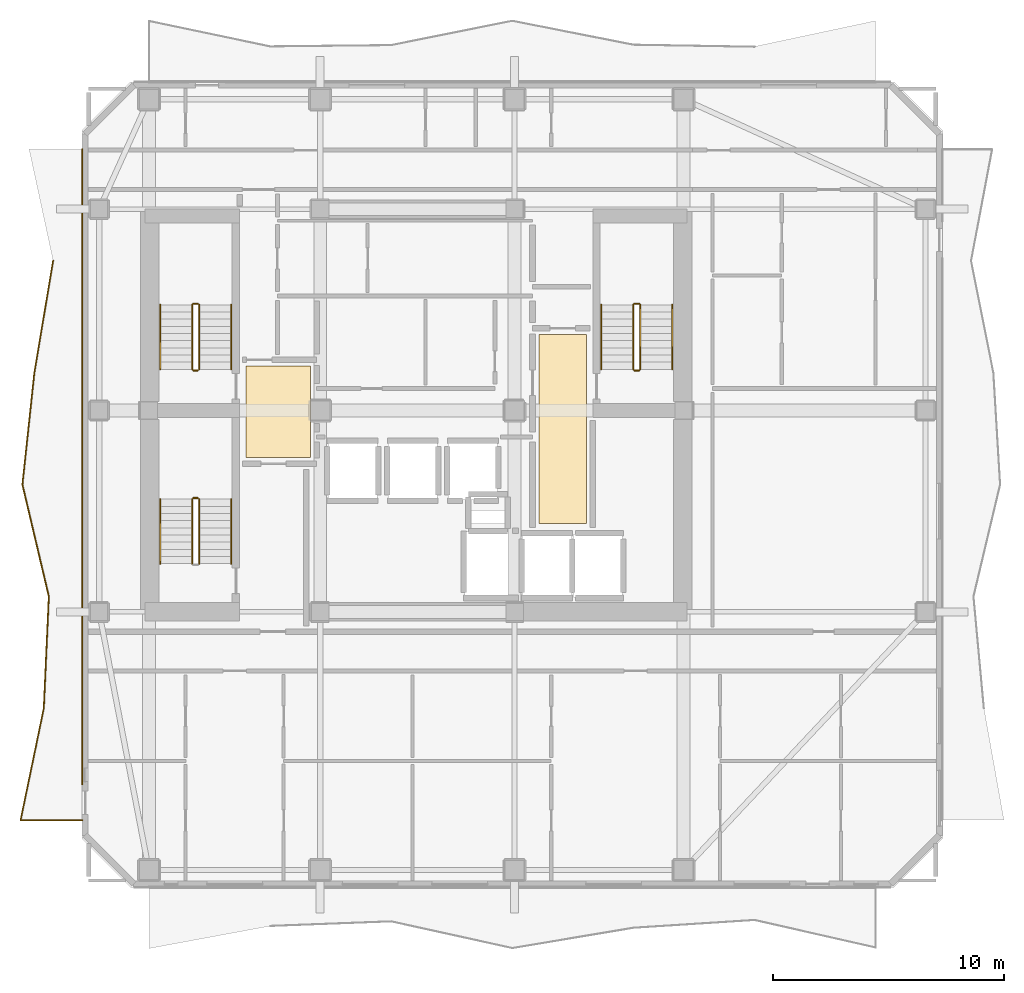
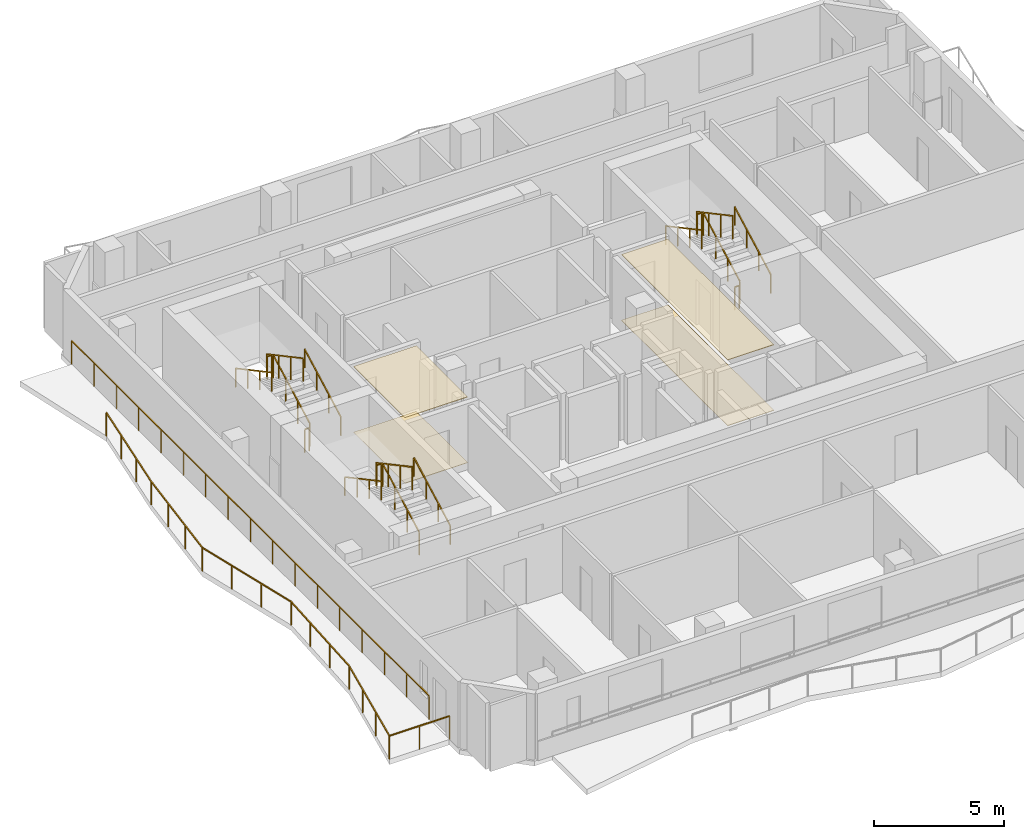
# One storey, part 8 of 9: 19 railings, 4 coverings.
"""IFC4 building model written with IfcOpenShell, lengths in metres."""

import ifcopenshell
import ifcopenshell.guid

model = None  # the IFC model being written
_history = None  # IfcOwnerHistory: only IFC2X3 demands one
_inside = {}  # id of a spatial element -> (the spatial element, [elements in it])
_under = {}  # id of a project, library or spatial element -> (it, [spatial elements below it])
_declared = {}  # id of a project -> (the project, [libraries it declares])
_typed = {}  # id of a type object -> (the type object, [elements of that type])
_made_of = {}  # id of a material, layer set ... -> (it, [elements and type objects made of it])


def new_model(schema):
    """Start an empty IFC model of exactly this schema.

    Asked for "IFC4X3", IfcOpenShell would pick the latest addendum, in which some entities
    have other attributes; the version numbers below select the first issue.
    IFC2X3 requires an IfcOwnerHistory on every rooted entity: one is made here for all.
    """
    global model, _history
    if schema == "IFC4X3":
        model = ifcopenshell.file(schema_version=(4, 3, 0, 0))
    else:
        model = ifcopenshell.file(schema=schema)
    _inside.clear()
    _under.clear()
    _declared.clear()
    _typed.clear()
    _made_of.clear()
    _history = None
    if model.schema == "IFC2X3":
        org = make("IfcOrganization", Name="unknown")
        user = make(
            "IfcPersonAndOrganization",
            ThePerson=make("IfcPerson", FamilyName="unknown"),
            TheOrganization=org,
        )
        app = make(
            "IfcApplication",
            ApplicationDeveloper=org,
            Version="unknown",
            ApplicationFullName="unknown",
            ApplicationIdentifier="unknown",
        )
        _history = make(
            "IfcOwnerHistory",
            OwningUser=user,
            OwningApplication=app,
            ChangeAction="ADDED",
            CreationDate=0,
        )
    return model


def make(cls, **values):
    """One entity of the class cls with the attributes given. An attribute that is None is left unset."""
    return model.create_entity(
        cls, **{name: value for name, value in values.items() if value is not None}
    )


def rooted(cls, **values):
    """An entity with a GlobalId (a new one), such as an element, a storey or a relation."""
    return make(cls, GlobalId=ifcopenshell.guid.new(), OwnerHistory=_history, **values)


def si_unit(unit_type, name, prefix=None):
    """IfcSIUnit, for example si_unit("LENGTHUNIT", "METRE", prefix="MILLI")."""
    return make("IfcSIUnit", UnitType=unit_type, Prefix=prefix, Name=name)


def assignment(units):
    """IfcUnitAssignment: the units of a project."""
    return None if units is None else make("IfcUnitAssignment", Units=units)


def point(xyz):
    """IfcCartesianPoint."""
    return None if xyz is None else make("IfcCartesianPoint", Coordinates=xyz)


def direction(xyz):
    """IfcDirection."""
    return None if xyz is None else make("IfcDirection", DirectionRatios=xyz)


def frame(location, z_axis=None, x_axis=None):
    """IfcAxis2Placement3D, a coordinate frame: its origin and axes. An axis left out is left unset."""
    return make(
        "IfcAxis2Placement3D",
        Location=point(location),
        Axis=direction(z_axis),
        RefDirection=direction(x_axis),
    )


def frame_2d(location, x_axis=None):
    """IfcAxis2Placement2D, a coordinate frame in the plane: its origin and x axis."""
    return make(
        "IfcAxis2Placement2D", Location=point(location), RefDirection=direction(x_axis)
    )


def origin():
    """The frame at (0, 0, 0) with its axes left unset."""
    return frame((0.0, 0.0, 0.0))


def origin_2d():
    """The frame at (0, 0) in the plane with its x axis left unset."""
    return frame_2d((0.0, 0.0))


def place(relative_to, where):
    """IfcLocalPlacement: puts the frame where relative to a parent placement (None: the world)."""
    return make(
        "IfcLocalPlacement", PlacementRelTo=relative_to, RelativePlacement=where
    )


def context(
    kind, dimensions, precision=None, world=None, true_north=None, identifier=None
):
    """IfcGeometricRepresentationContext, for example the 3D "Model" context."""
    return make(
        "IfcGeometricRepresentationContext",
        ContextIdentifier=identifier,
        ContextType=kind,
        CoordinateSpaceDimension=dimensions,
        Precision=precision,
        WorldCoordinateSystem=world,
        TrueNorth=true_north,
    )


def subcontext(parent, identifier, kind, view, scale=None):
    """IfcGeometricRepresentationSubContext, for example "Body" below "Model"."""
    return make(
        "IfcGeometricRepresentationSubContext",
        ContextIdentifier=identifier,
        ContextType=kind,
        ParentContext=parent,
        TargetScale=scale,
        TargetView=view,
    )


def project(units=None, contexts=None):
    """IfcProject with its units and contexts."""
    return rooted(
        "IfcProject",
        Name="project",
        RepresentationContexts=contexts,
        UnitsInContext=assignment(units),
    )


def spatial(cls, under=None, at=None, **own):
    """A site, building, storey or space (cls), placed at a placement, below another one or the project."""
    s = rooted(cls, ObjectPlacement=at, **own)
    if under is not None:
        _under.setdefault(under.id(), (under, []))[1].append(s)
    return s


def polyline(points):
    """IfcPolyline through the points."""
    return make("IfcPolyline", Points=[point(p) for p in points])


def profile(cls, at=None, kind="AREA", **sizes):
    """A parametric profile (cls). Its sizes go by their IFC names, for example OverallWidth=200.0."""
    return make(cls, ProfileType=kind, Position=at, **sizes)


def rectangle(**sizes):
    """IfcRectangleProfileDef."""
    return profile("IfcRectangleProfileDef", **sizes)


def outline(outer, holes=None, kind="AREA"):
    """IfcArbitraryClosedProfileDef: a profile drawn as a closed curve; with holes, ...WithVoids."""
    if holes is None:
        return make("IfcArbitraryClosedProfileDef", ProfileType=kind, OuterCurve=outer)
    return make(
        "IfcArbitraryProfileDefWithVoids",
        ProfileType=kind,
        OuterCurve=outer,
        InnerCurves=holes,
    )


def extrude(swept, where, along, depth):
    """IfcExtrudedAreaSolid: the profile swept, set in the frame where, extruded along a direction by depth."""
    return make(
        "IfcExtrudedAreaSolid",
        SweptArea=swept,
        Position=where,
        ExtrudedDirection=direction(along),
        Depth=depth,
    )


def shape(context_of_items, identifier, shape_type, items):
    """IfcShapeRepresentation: the items that make up one representation, for example the "Body"."""
    return make(
        "IfcShapeRepresentation",
        ContextOfItems=context_of_items,
        RepresentationIdentifier=identifier,
        RepresentationType=shape_type,
        Items=items,
    )


def material(Name=None, Category=None):
    """IfcMaterial."""
    return make("IfcMaterial", Name=Name, Category=Category)


def layer(
    of_material, thickness, ventilated=None, Name=None, Category=None, Priority=None
):
    """IfcMaterialLayer: one layer of a wall or slab, of a material (None: an air gap)."""
    return make(
        "IfcMaterialLayer",
        Material=of_material,
        LayerThickness=thickness,
        IsVentilated=ventilated,
        Name=Name,
        Category=Category,
        Priority=Priority,
    )


def layer_set(layers, Name=None):
    """IfcMaterialLayerSet."""
    return make("IfcMaterialLayerSet", MaterialLayers=layers, LayerSetName=Name)


def made_of(thing, what):
    """Note that an element or type object is made of a material, layer set ...; save() writes the relation."""
    if what is not None:
        _made_of.setdefault(what.id(), (what, []))[1].append(thing)
    return thing


def type_object(cls, material=None, **own):
    """A type object (cls), such as IfcWallType, which elements share."""
    return made_of(rooted(cls, **own), material)


def element(
    cls,
    number,
    at=None,
    inside=None,
    cuts=None,
    type_object=None,
    material=None,
    context=None,
    identifier="Body",
    shape_type=None,
    held_by="IfcProductDefinitionShape",
    body=None,
    shapes=None,
    **own,
):
    """One element of the class cls, such as IfcWall. Its Tag is "e" and its number.

    at: its placement. inside: the storey or other place that contains it. cuts: it is an
    opening in that element (IfcRelVoidsElement). A single representation is given by context,
    identifier, shape_type and body (its items); several are given by shapes. held_by: the class
    of the entity that holds the representations. save() writes the other relations.
    """
    e = rooted(cls, Tag="e%d" % number, ObjectPlacement=at, **own)
    if body is not None:
        shapes = [shape(context, identifier, shape_type, body)]
    if shapes is not None:
        e.Representation = make(held_by, Representations=shapes)
    if inside is not None:
        _inside.setdefault(inside.id(), (inside, []))[1].append(e)
    if cuts is not None:
        rooted(
            "IfcRelVoidsElement", RelatingBuildingElement=cuts, RelatedOpeningElement=e
        )
    if type_object is not None:
        _typed.setdefault(type_object.id(), (type_object, []))[1].append(e)
    return made_of(e, material)


def aggregate(whole, parts):
    """IfcRelAggregates: a whole, such as a stair, and the parts it consists of."""
    return rooted("IfcRelAggregates", RelatingObject=whole, RelatedObjects=parts)


def save(model, path):
    """Write the relations noted so far, then the file.

    IfcRelAggregates (storeys below a building ...), IfcRelContainedInSpatialStructure (elements
    in a storey), IfcRelDefinesByType, IfcRelAssociatesMaterial and IfcRelDeclares: one each for
    every whole, place, type object, material and project.
    """
    for whole, parts in _under.values():
        aggregate(whole, parts)
    for where, things in _inside.values():
        rooted(
            "IfcRelContainedInSpatialStructure",
            RelatedElements=things,
            RelatingStructure=where,
        )
    for kind, things in _typed.values():
        rooted("IfcRelDefinesByType", RelatedObjects=things, RelatingType=kind)
    for what, things in _made_of.values():
        rooted("IfcRelAssociatesMaterial", RelatedObjects=things, RelatingMaterial=what)
    for by, libraries in _declared.values():
        rooted("IfcRelDeclares", RelatingContext=by, RelatedDefinitions=libraries)
    model.write(path)


model = new_model("IFC4")

# Units and contexts
model_context = context("Model", 3, precision=1e-05, world=origin(), true_north=direction((0.0, 1.0)))
body_context = subcontext(model_context, "Body", "Model", "MODEL_VIEW")
ifc_project = project(units=[si_unit("LENGTHUNIT", "METRE"), si_unit("AREAUNIT", "SQUARE_METRE"), si_unit("VOLUMEUNIT", "CUBIC_METRE"), si_unit("PLANEANGLEUNIT", "RADIAN"), si_unit("MASSUNIT", "GRAM", prefix="KILO")], contexts=[model_context])

# Site, building, storey
site_placement = place(None, origin())
site = spatial("IfcSite", under=ifc_project, at=site_placement, CompositionType="ELEMENT")
building_placement = place(site_placement, origin())
building = spatial("IfcBuilding", under=site, at=building_placement, Name="Solanera Arch Residences", CompositionType="ELEMENT")
storey_placement = place(building_placement, frame((0.0, 0.0, 216.719970703125)))
storey = spatial("IfcBuildingStorey", under=building, at=storey_placement, Name="L63", CompositionType="ELEMENT", Elevation=216.719970703125)

# Railings
ifc_material_1 = material(Name="Steel S355 (ASTM A992 / A572 Grade 50)", Category="steel")
railing_type_1 = type_object("IfcRailingType", Name="Balustrade Railing BL-1100", PredefinedType="BALUSTRADE", material=ifc_material_1)
railing_1_placement = place(storey_placement, frame((9.260009765625, 37.1669921875, 0.0)))
element("IfcRailing", 1, at=railing_1_placement, inside=storey, type_object=railing_type_1, Name="L63 W Balcony Balustrade 1", PredefinedType="BALUSTRADE", context=body_context, shape_type="SweptSolid", body=[
    extrude(rectangle(XDim=0.048095703125, YDim=0.048095703125, at=origin_2d()), frame((0.0, 0.0, 1.09619140625), z_axis=(-0.165465070353, -0.986215651109, 0.0), x_axis=(0.986215651109, -0.165465070353, 0.0)), (0.0, 0.0, 1.0), 4.901611328125),
    extrude(rectangle(XDim=0.048095703125, YDim=0.048095703125, at=origin_2d()), frame((-0.81103515625, -4.833984375, 1.09619140625), z_axis=(-0.106384146857, -0.994325104429, 0.0), x_axis=(0.994325104429, -0.106384146857, 0.0)), (0.0, 0.0, 1.0), 4.860595703125),
    extrude(rectangle(XDim=0.048095703125, YDim=0.048095703125, at=origin_2d()), frame((-1.328125, -9.6669921875, 1.09619140625), z_axis=(0.230162585951, -0.973152189551, 0.0), x_axis=(0.973152189551, 0.230162585951, 0.0)), (0.0, 0.0, 1.0), 4.96630859375),
    extrude(rectangle(XDim=0.048095703125, YDim=0.048095703125, at=origin_2d()), frame((-0.18505859375, -14.5, 1.09619140625), z_axis=(-0.045055209953, -0.998984498406, 0.0), x_axis=(0.998984498406, -0.045055209953, 0.0)), (0.0, 0.0, 1.0), 4.8388671875),
    extrude(rectangle(XDim=0.048095703125, YDim=0.048095703125, at=origin_2d()), frame((-0.403076171875, -19.333984375, 1.09619140625), z_axis=(-0.203187826474, -0.97913977918, 0.0), x_axis=(0.97913977918, -0.203187826474, 0.0)), (0.0, 0.0, 1.0), 4.93603515625),
    extrude(rectangle(XDim=0.048095703125, YDim=0.048095703125, at=origin_2d()), frame((-1.406005859375, -24.1669921875, 1.09619140625), z_axis=(1.0, 0.0, 0.0), x_axis=(0.0, 1.0, 0.0)), (0.0, 0.0, 1.0), 2.666015625),
    extrude(rectangle(XDim=0.0419921875, YDim=0.0419921875, at=origin_2d()), origin(), (0.0, 0.0, 1.0), 1.072021484375),
    extrude(rectangle(XDim=0.0419921875, YDim=0.0419921875, at=origin_2d()), frame((-0.270263671875, -1.611328125, 0.0)), (0.0, 0.0, 1.0), 1.072021484375),
    extrude(rectangle(XDim=0.0419921875, YDim=0.0419921875, at=origin_2d()), frame((-0.540771484375, -3.22265625, 0.0)), (0.0, 0.0, 1.0), 1.072021484375),
    extrude(rectangle(XDim=0.0419921875, YDim=0.0419921875, at=origin_2d()), frame((-0.81103515625, -4.833984375, 0.0)), (0.0, 0.0, 1.0), 1.072021484375),
    extrude(rectangle(XDim=0.0419921875, YDim=0.0419921875, at=origin_2d()), frame((-0.9833984375, -6.445068359375, 0.0)), (0.0, 0.0, 1.0), 1.072021484375),
    extrude(rectangle(XDim=0.0419921875, YDim=0.0419921875, at=origin_2d()), frame((-1.15576171875, -8.055908203125, 0.0)), (0.0, 0.0, 1.0), 1.072021484375),
    extrude(rectangle(XDim=0.0419921875, YDim=0.0419921875, at=origin_2d()), frame((-1.328125, -9.6669921875, 0.0)), (0.0, 0.0, 1.0), 1.072021484375),
    extrude(rectangle(XDim=0.0419921875, YDim=0.0419921875, at=origin_2d()), frame((-0.947021484375, -11.278076171875, 0.0)), (0.0, 0.0, 1.0), 1.072021484375),
    extrude(rectangle(XDim=0.0419921875, YDim=0.0419921875, at=origin_2d()), frame((-0.566162109375, -12.888916015625, 0.0)), (0.0, 0.0, 1.0), 1.072021484375),
    extrude(rectangle(XDim=0.0419921875, YDim=0.0419921875, at=origin_2d()), frame((-0.18505859375, -14.5, 0.0)), (0.0, 0.0, 1.0), 1.072021484375),
    extrude(rectangle(XDim=0.0419921875, YDim=0.0419921875, at=origin_2d()), frame((-0.2578125, -16.111328125, 0.0)), (0.0, 0.0, 1.0), 1.072021484375),
    extrude(rectangle(XDim=0.0419921875, YDim=0.0419921875, at=origin_2d()), frame((-0.330322265625, -17.72265625, 0.0)), (0.0, 0.0, 1.0), 1.072021484375),
    extrude(rectangle(XDim=0.0419921875, YDim=0.0419921875, at=origin_2d()), frame((-0.403076171875, -19.333984375, 0.0)), (0.0, 0.0, 1.0), 1.072021484375),
    extrude(rectangle(XDim=0.0419921875, YDim=0.0419921875, at=origin_2d()), frame((-0.7373046875, -20.945068359375, 0.0)), (0.0, 0.0, 1.0), 1.072021484375),
    extrude(rectangle(XDim=0.0419921875, YDim=0.0419921875, at=origin_2d()), frame((-1.07177734375, -22.555908203125, 0.0)), (0.0, 0.0, 1.0), 1.072021484375),
    extrude(rectangle(XDim=0.0419921875, YDim=0.0419921875, at=origin_2d()), frame((-1.406005859375, -24.1669921875, 0.0)), (0.0, 0.0, 1.0), 1.072021484375),
    extrude(rectangle(XDim=0.0419921875, YDim=0.0419921875, at=origin_2d()), frame((-0.072998046875, -24.1669921875, 0.0)), (0.0, 0.0, 1.0), 1.072021484375),
    extrude(rectangle(XDim=0.0419921875, YDim=0.0419921875, at=origin_2d()), frame((1.260009765625, -24.1669921875, 0.0)), (0.0, 0.0, 1.0), 1.072021484375),
])
railing_2_placement = place(storey_placement, frame((10.52001953125, 14.554931640625, 0.0)))
element("IfcRailing", 2, at=railing_2_placement, inside=storey, type_object=railing_type_1, Name="L63 W Balcony Balustrade 2", PredefinedType="BALUSTRADE", context=body_context, shape_type="SweptSolid", body=[
    extrude(rectangle(XDim=0.048095703125, YDim=0.048095703125, at=origin_2d()), frame((0.0, 0.0, 1.09619140625), z_axis=(0.0, 1.0, 0.0), x_axis=(-1.0, 0.0, 0.0)), (0.0, 0.0, 1.0), 27.445068359375),
    extrude(rectangle(XDim=0.0419921875, YDim=0.0419921875, at=origin_2d()), origin(), (0.0, 0.0, 1.0), 1.072021484375),
    extrude(rectangle(XDim=0.0419921875, YDim=0.0419921875, at=origin_2d()), frame((0.0, 1.71533203125, 0.0)), (0.0, 0.0, 1.0), 1.072021484375),
    extrude(rectangle(XDim=0.0419921875, YDim=0.0419921875, at=origin_2d()), frame((0.0, 3.4306640625, 0.0)), (0.0, 0.0, 1.0), 1.072021484375),
    extrude(rectangle(XDim=0.0419921875, YDim=0.0419921875, at=origin_2d()), frame((0.0, 5.14599609375, 0.0)), (0.0, 0.0, 1.0), 1.072021484375),
    extrude(rectangle(XDim=0.0419921875, YDim=0.0419921875, at=origin_2d()), frame((0.0, 6.861328125, 0.0)), (0.0, 0.0, 1.0), 1.072021484375),
    extrude(rectangle(XDim=0.0419921875, YDim=0.0419921875, at=origin_2d()), frame((0.0, 8.57666015625, 0.0)), (0.0, 0.0, 1.0), 1.072021484375),
    extrude(rectangle(XDim=0.0419921875, YDim=0.0419921875, at=origin_2d()), frame((0.0, 10.2919921875, 0.0)), (0.0, 0.0, 1.0), 1.072021484375),
    extrude(rectangle(XDim=0.0419921875, YDim=0.0419921875, at=origin_2d()), frame((0.0, 12.00732421875, 0.0)), (0.0, 0.0, 1.0), 1.072021484375),
    extrude(rectangle(XDim=0.0419921875, YDim=0.0419921875, at=origin_2d()), frame((0.0, 13.72265625, 0.0)), (0.0, 0.0, 1.0), 1.072021484375),
    extrude(rectangle(XDim=0.0419921875, YDim=0.0419921875, at=origin_2d()), frame((0.0, 15.437744140625, 0.0)), (0.0, 0.0, 1.0), 1.072021484375),
    extrude(rectangle(XDim=0.0419921875, YDim=0.0419921875, at=origin_2d()), frame((0.0, 17.153076171875, 0.0)), (0.0, 0.0, 1.0), 1.072021484375),
    extrude(rectangle(XDim=0.0419921875, YDim=0.0419921875, at=origin_2d()), frame((0.0, 18.868408203125, 0.0)), (0.0, 0.0, 1.0), 1.072021484375),
    extrude(rectangle(XDim=0.0419921875, YDim=0.0419921875, at=origin_2d()), frame((0.0, 20.583740234375, 0.0)), (0.0, 0.0, 1.0), 1.072021484375),
    extrude(rectangle(XDim=0.0419921875, YDim=0.0419921875, at=origin_2d()), frame((0.0, 22.299072265625, 0.0)), (0.0, 0.0, 1.0), 1.072021484375),
    extrude(rectangle(XDim=0.0419921875, YDim=0.0419921875, at=origin_2d()), frame((0.0, 24.014404296875, 0.0)), (0.0, 0.0, 1.0), 1.072021484375),
    extrude(rectangle(XDim=0.0419921875, YDim=0.0419921875, at=origin_2d()), frame((0.0, 25.729736328125, 0.0)), (0.0, 0.0, 1.0), 1.072021484375),
    extrude(rectangle(XDim=0.0419921875, YDim=0.0419921875, at=origin_2d()), frame((0.0, 27.445068359375, 0.0)), (0.0, 0.0, 1.0), 1.072021484375),
])

# Coverings
ifc_material_2 = material(Name="Porcelain Acoustic Floor Tile", Category="ceramic")
ifc_layer_1 = layer(ifc_material_2, 0.02001953125)
ifc_layer_set_1 = layer_set([ifc_layer_1], Name="Porcelain Acoustic Floor Tile")
covering_type_1 = type_object("IfcCoveringType", Name="Porcelain Acoustic Floor Finish FLR-20", PredefinedType="FLOORING", material=ifc_layer_set_1)
covering_1_placement = place(storey_placement, origin())
element("IfcCovering", 3, at=covering_1_placement, inside=storey, type_object=covering_type_1, Name="L63-FFL-W Porcelain Floor Finish", PredefinedType="FLOORING", context=body_context, shape_type="SweptSolid", body=[
    extrude(outline(polyline([(20.375, 28.675048828125), (17.594970703125, 28.675048828125), (17.594970703125, 32.625), (20.375, 32.625), (20.375, 28.675048828125)])), origin(), (0.0, 0.0, 1.0), 0.02001953125),
])
covering_2_placement = place(storey_placement, origin())
element("IfcCovering", 4, at=covering_2_placement, inside=storey, type_object=covering_type_1, Name="L63-FFL-E Porcelain Floor Finish", PredefinedType="FLOORING", context=body_context, shape_type="SweptSolid", body=[
    extrude(outline(polyline([(32.304931640625, 25.824951171875), (30.25, 25.824951171875), (30.25, 33.97509765625), (32.304931640625, 33.97509765625), (32.304931640625, 25.824951171875)])), origin(), (0.0, 0.0, 1.0), 0.02001953125),
])

# Railings
ifc_material_3 = material(Name="Steel S355 (ASTM A992 / A572 Grade 50)", Category="steel")
railing_type_2 = type_object("IfcRailingType", Name="Stair Guardrail GR-1100", PredefinedType="GUARDRAIL", material=ifc_material_3)
railing_3_placement = place(storey_placement, frame((15.570068359375, 32.47998046875, 0.151123046875)))
element("IfcRailing", 5, at=railing_3_placement, inside=storey, type_object=railing_type_2, Name="L63 ST-T1 stair guard 1", PredefinedType="GUARDRAIL", context=body_context, shape_type="SweptSolid", body=[
    extrude(rectangle(XDim=0.048095703125, YDim=0.048095703125, at=origin_2d()), frame((0.0, 0.0, 1.076171875), z_axis=(0.0, 0.881580869306, 0.472033018838), x_axis=(-1.0, 0.0, 0.0)), (0.0, 0.0, 1.0), 3.164794921875),
    extrude(rectangle(XDim=0.0419921875, YDim=0.0419921875, at=origin_2d()), origin(), (0.0, 0.0, 1.0), 1.052001953125),
    extrude(rectangle(XDim=0.0419921875, YDim=0.0419921875, at=origin_2d()), frame((0.0, 0.929931640625, 0.498046875)), (0.0, 0.0, 1.0), 1.052001953125),
    extrude(rectangle(XDim=0.0419921875, YDim=0.0419921875, at=origin_2d()), frame((0.0, 1.860107421875, 0.995849609375)), (0.0, 0.0, 1.0), 1.052001953125),
    extrude(rectangle(XDim=0.0419921875, YDim=0.0419921875, at=origin_2d()), frame((0.0, 2.7900390625, 1.493896484375)), (0.0, 0.0, 1.0), 1.052001953125),
])
railing_4_placement = place(storey_placement, frame((15.52001953125, 35.320068359375, 1.64501953125)))
element("IfcRailing", 6, at=railing_4_placement, inside=storey, type_object=railing_type_2, Name="L63 ST-T1 stair guard 2", PredefinedType="GUARDRAIL", context=body_context, shape_type="SweptSolid", body=[
    extrude(rectangle(XDim=0.048095703125, YDim=0.048095703125, at=origin_2d()), frame((0.0, 0.0, 1.076171875), z_axis=(-1.0, 0.0, 0.0), x_axis=(0.0, -1.0, 0.0)), (0.0, 0.0, 1.0), 0.199951171875),
    extrude(rectangle(XDim=0.0419921875, YDim=0.0419921875, at=origin_2d()), origin(), (0.0, 0.0, 1.0), 1.052001953125),
    extrude(rectangle(XDim=0.0419921875, YDim=0.0419921875, at=origin_2d()), frame((-0.199951171875, 0.0, 0.0)), (0.0, 0.0, 1.0), 1.052001953125),
])
railing_5_placement = place(storey_placement, frame((15.27001953125, 35.27001953125, 1.81103515625)))
element("IfcRailing", 7, at=railing_5_placement, inside=storey, type_object=railing_type_2, Name="L63 ST-T1 stair guard 3", PredefinedType="GUARDRAIL", context=body_context, shape_type="SweptSolid", body=[
    extrude(rectangle(XDim=0.048095703125, YDim=0.048095703125, at=origin_2d()), frame((0.0, 0.0, 1.076171875), z_axis=(0.0, -0.881580869306, 0.472033018838), x_axis=(1.0, 0.0, 0.0)), (0.0, 0.0, 1.0), 3.164794921875),
    extrude(rectangle(XDim=0.0419921875, YDim=0.0419921875, at=origin_2d()), origin(), (0.0, 0.0, 1.0), 1.052001953125),
    extrude(rectangle(XDim=0.0419921875, YDim=0.0419921875, at=origin_2d()), frame((0.0, -0.929931640625, 0.498046875)), (0.0, 0.0, 1.0), 1.052001953125),
    extrude(rectangle(XDim=0.0419921875, YDim=0.0419921875, at=origin_2d()), frame((0.0, -1.860107421875, 0.995849609375)), (0.0, 0.0, 1.0), 1.052001953125),
    extrude(rectangle(XDim=0.0419921875, YDim=0.0419921875, at=origin_2d()), frame((0.0, -2.7900390625, 1.493896484375)), (0.0, 0.0, 1.0), 1.052001953125),
])
railing_6_placement = place(storey_placement, frame((15.52001953125, 32.429931640625, -0.014892578125)))
element("IfcRailing", 8, at=railing_6_placement, inside=storey, type_object=railing_type_2, Name="L63 ST-T1 stair guard 4", PredefinedType="GUARDRAIL", context=body_context, shape_type="SweptSolid", body=[
    extrude(rectangle(XDim=0.048095703125, YDim=0.048095703125, at=origin_2d()), frame((0.0, 0.0, 1.076171875), z_axis=(-1.0, 0.0, 0.0), x_axis=(0.0, -1.0, 0.0)), (0.0, 0.0, 1.0), 0.199951171875),
    extrude(rectangle(XDim=0.0419921875, YDim=0.0419921875, at=origin_2d()), origin(), (0.0, 0.0, 1.0), 1.052001953125),
    extrude(rectangle(XDim=0.0419921875, YDim=0.0419921875, at=origin_2d()), frame((-0.199951171875, 0.0, 0.0)), (0.0, 0.0, 1.0), 1.052001953125),
])
railing_7_placement = place(storey_placement, frame((34.6298828125, 32.47998046875, 0.151123046875)))
element("IfcRailing", 9, at=railing_7_placement, inside=storey, type_object=railing_type_2, Name="L63 ST-T2 stair guard 1", PredefinedType="GUARDRAIL", context=body_context, shape_type="SweptSolid", body=[
    extrude(rectangle(XDim=0.048095703125, YDim=0.048095703125, at=origin_2d()), frame((0.0, 0.0, 1.076171875), z_axis=(0.0, 0.881580869306, 0.472033018838), x_axis=(-1.0, 0.0, 0.0)), (0.0, 0.0, 1.0), 3.164794921875),
    extrude(rectangle(XDim=0.0419921875, YDim=0.0419921875, at=origin_2d()), origin(), (0.0, 0.0, 1.0), 1.052001953125),
    extrude(rectangle(XDim=0.0419921875, YDim=0.0419921875, at=origin_2d()), frame((0.0, 0.929931640625, 0.498046875)), (0.0, 0.0, 1.0), 1.052001953125),
    extrude(rectangle(XDim=0.0419921875, YDim=0.0419921875, at=origin_2d()), frame((0.0, 1.860107421875, 0.995849609375)), (0.0, 0.0, 1.0), 1.052001953125),
    extrude(rectangle(XDim=0.0419921875, YDim=0.0419921875, at=origin_2d()), frame((0.0, 2.7900390625, 1.493896484375)), (0.0, 0.0, 1.0), 1.052001953125),
])
railing_8_placement = place(storey_placement, frame((34.580078125, 35.320068359375, 1.64501953125)))
element("IfcRailing", 10, at=railing_8_placement, inside=storey, type_object=railing_type_2, Name="L63 ST-T2 stair guard 2", PredefinedType="GUARDRAIL", context=body_context, shape_type="SweptSolid", body=[
    extrude(rectangle(XDim=0.048095703125, YDim=0.048095703125, at=origin_2d()), frame((0.0, 0.0, 1.076171875), z_axis=(-1.0, 0.0, 0.0), x_axis=(0.0, -1.0, 0.0)), (0.0, 0.0, 1.0), 0.2001953125),
    extrude(rectangle(XDim=0.0419921875, YDim=0.0419921875, at=origin_2d()), origin(), (0.0, 0.0, 1.0), 1.052001953125),
    extrude(rectangle(XDim=0.0419921875, YDim=0.0419921875, at=origin_2d()), frame((-0.2001953125, 0.0, 0.0)), (0.0, 0.0, 1.0), 1.052001953125),
])
railing_9_placement = place(storey_placement, frame((34.330078125, 35.27001953125, 1.81103515625)))
element("IfcRailing", 11, at=railing_9_placement, inside=storey, type_object=railing_type_2, Name="L63 ST-T2 stair guard 3", PredefinedType="GUARDRAIL", context=body_context, shape_type="SweptSolid", body=[
    extrude(rectangle(XDim=0.048095703125, YDim=0.048095703125, at=origin_2d()), frame((0.0, 0.0, 1.076171875), z_axis=(0.0, -0.881580869306, 0.472033018838), x_axis=(1.0, 0.0, 0.0)), (0.0, 0.0, 1.0), 3.164794921875),
    extrude(rectangle(XDim=0.0419921875, YDim=0.0419921875, at=origin_2d()), origin(), (0.0, 0.0, 1.0), 1.052001953125),
    extrude(rectangle(XDim=0.0419921875, YDim=0.0419921875, at=origin_2d()), frame((0.0, -0.929931640625, 0.498046875)), (0.0, 0.0, 1.0), 1.052001953125),
    extrude(rectangle(XDim=0.0419921875, YDim=0.0419921875, at=origin_2d()), frame((0.0, -1.860107421875, 0.995849609375)), (0.0, 0.0, 1.0), 1.052001953125),
    extrude(rectangle(XDim=0.0419921875, YDim=0.0419921875, at=origin_2d()), frame((0.0, -2.7900390625, 1.493896484375)), (0.0, 0.0, 1.0), 1.052001953125),
])
railing_10_placement = place(storey_placement, frame((34.580078125, 32.429931640625, -0.014892578125)))
element("IfcRailing", 12, at=railing_10_placement, inside=storey, type_object=railing_type_2, Name="L63 ST-T2 stair guard 4", PredefinedType="GUARDRAIL", context=body_context, shape_type="SweptSolid", body=[
    extrude(rectangle(XDim=0.048095703125, YDim=0.048095703125, at=origin_2d()), frame((0.0, 0.0, 1.076171875), z_axis=(-1.0, 0.0, 0.0), x_axis=(0.0, -1.0, 0.0)), (0.0, 0.0, 1.0), 0.2001953125),
    extrude(rectangle(XDim=0.0419921875, YDim=0.0419921875, at=origin_2d()), origin(), (0.0, 0.0, 1.0), 1.052001953125),
    extrude(rectangle(XDim=0.0419921875, YDim=0.0419921875, at=origin_2d()), frame((-0.2001953125, 0.0, 0.0)), (0.0, 0.0, 1.0), 1.052001953125),
])
railing_11_placement = place(storey_placement, frame((15.570068359375, 24.080078125, 0.151123046875)))
element("IfcRailing", 13, at=railing_11_placement, inside=storey, type_object=railing_type_2, Name="L63 ST-T3 stair guard 1", PredefinedType="GUARDRAIL", context=body_context, shape_type="SweptSolid", body=[
    extrude(rectangle(XDim=0.048095703125, YDim=0.048095703125, at=origin_2d()), frame((0.0, 0.0, 1.076171875), z_axis=(0.0, 0.881580869306, 0.472033018838), x_axis=(-1.0, 0.0, 0.0)), (0.0, 0.0, 1.0), 3.164794921875),
    extrude(rectangle(XDim=0.0419921875, YDim=0.0419921875, at=origin_2d()), origin(), (0.0, 0.0, 1.0), 1.052001953125),
    extrude(rectangle(XDim=0.0419921875, YDim=0.0419921875, at=origin_2d()), frame((0.0, 0.929931640625, 0.498046875)), (0.0, 0.0, 1.0), 1.052001953125),
    extrude(rectangle(XDim=0.0419921875, YDim=0.0419921875, at=origin_2d()), frame((0.0, 1.860107421875, 0.995849609375)), (0.0, 0.0, 1.0), 1.052001953125),
    extrude(rectangle(XDim=0.0419921875, YDim=0.0419921875, at=origin_2d()), frame((0.0, 2.7900390625, 1.493896484375)), (0.0, 0.0, 1.0), 1.052001953125),
])
railing_12_placement = place(storey_placement, frame((15.52001953125, 26.919921875, 1.64501953125)))
element("IfcRailing", 14, at=railing_12_placement, inside=storey, type_object=railing_type_2, Name="L63 ST-T3 stair guard 2", PredefinedType="GUARDRAIL", context=body_context, shape_type="SweptSolid", body=[
    extrude(rectangle(XDim=0.048095703125, YDim=0.048095703125, at=origin_2d()), frame((0.0, 0.0, 1.076171875), z_axis=(-1.0, 0.0, 0.0), x_axis=(0.0, -1.0, 0.0)), (0.0, 0.0, 1.0), 0.199951171875),
    extrude(rectangle(XDim=0.0419921875, YDim=0.0419921875, at=origin_2d()), origin(), (0.0, 0.0, 1.0), 1.052001953125),
    extrude(rectangle(XDim=0.0419921875, YDim=0.0419921875, at=origin_2d()), frame((-0.199951171875, 0.0, 0.0)), (0.0, 0.0, 1.0), 1.052001953125),
])
railing_13_placement = place(storey_placement, frame((15.27001953125, 26.8701171875, 1.81103515625)))
element("IfcRailing", 15, at=railing_13_placement, inside=storey, type_object=railing_type_2, Name="L63 ST-T3 stair guard 3", PredefinedType="GUARDRAIL", context=body_context, shape_type="SweptSolid", body=[
    extrude(rectangle(XDim=0.048095703125, YDim=0.048095703125, at=origin_2d()), frame((0.0, 0.0, 1.076171875), z_axis=(0.0, -0.881580869306, 0.472033018838), x_axis=(1.0, 0.0, 0.0)), (0.0, 0.0, 1.0), 3.164794921875),
    extrude(rectangle(XDim=0.0419921875, YDim=0.0419921875, at=origin_2d()), origin(), (0.0, 0.0, 1.0), 1.052001953125),
    extrude(rectangle(XDim=0.0419921875, YDim=0.0419921875, at=origin_2d()), frame((0.0, -0.929931640625, 0.498046875)), (0.0, 0.0, 1.0), 1.052001953125),
    extrude(rectangle(XDim=0.0419921875, YDim=0.0419921875, at=origin_2d()), frame((0.0, -1.860107421875, 0.995849609375)), (0.0, 0.0, 1.0), 1.052001953125),
    extrude(rectangle(XDim=0.0419921875, YDim=0.0419921875, at=origin_2d()), frame((0.0, -2.7900390625, 1.493896484375)), (0.0, 0.0, 1.0), 1.052001953125),
])
ifc_material_4 = material(Name="Steel S355 (ASTM A992 / A572 Grade 50)", Category="steel")
railing_type_3 = type_object("IfcRailingType", Name="Stair Wall Handrail HR-920", PredefinedType="HANDRAIL", material=ifc_material_4)
railing_14_placement = place(storey_placement, frame((16.949951171875, 32.47998046875, 0.166015625)))
element("IfcRailing", 16, at=railing_14_placement, inside=storey, type_object=railing_type_3, Name="L63 ST-T1 stair handrail 1", PredefinedType="HANDRAIL", context=body_context, shape_type="SweptSolid", body=[
    extrude(rectangle(XDim=0.048095703125, YDim=0.048095703125, at=origin_2d()), frame((0.0, 0.0, 0.8759765625), z_axis=(0.0, 0.881580869306, 0.472033018838), x_axis=(-1.0, 0.0, 0.0)), (0.0, 0.0, 1.0), 3.164794921875),
    extrude(rectangle(XDim=0.0419921875, YDim=0.0419921875, at=origin_2d()), origin(), (0.0, 0.0, 1.0), 0.851806640625),
    extrude(rectangle(XDim=0.0419921875, YDim=0.0419921875, at=origin_2d()), frame((0.0, 0.929931640625, 0.498046875)), (0.0, 0.0, 1.0), 0.851806640625),
    extrude(rectangle(XDim=0.0419921875, YDim=0.0419921875, at=origin_2d()), frame((0.0, 1.860107421875, 0.995849609375)), (0.0, 0.0, 1.0), 0.851806640625),
    extrude(rectangle(XDim=0.0419921875, YDim=0.0419921875, at=origin_2d()), frame((0.0, 2.7900390625, 1.493896484375)), (0.0, 0.0, 1.0), 0.851806640625),
])
railing_15_placement = place(storey_placement, frame((13.889892578125, 35.27001953125, 1.825927734375)))
element("IfcRailing", 17, at=railing_15_placement, inside=storey, type_object=railing_type_3, Name="L63 ST-T1 stair handrail 2", PredefinedType="HANDRAIL", context=body_context, shape_type="SweptSolid", body=[
    extrude(rectangle(XDim=0.048095703125, YDim=0.048095703125, at=origin_2d()), frame((0.0, 0.0, 0.8759765625), z_axis=(0.0, -0.881548766853, 0.472092969298), x_axis=(1.0, 0.0, 0.0)), (0.0, 0.0, 1.0), 3.1650390625),
    extrude(rectangle(XDim=0.0419921875, YDim=0.0419921875, at=origin_2d()), origin(), (0.0, 0.0, 1.0), 0.851806640625),
    extrude(rectangle(XDim=0.0419921875, YDim=0.0419921875, at=origin_2d()), frame((0.0, -0.929931640625, 0.498046875)), (0.0, 0.0, 1.0), 0.851806640625),
    extrude(rectangle(XDim=0.0419921875, YDim=0.0419921875, at=origin_2d()), frame((0.0, -1.860107421875, 0.99609375)), (0.0, 0.0, 1.0), 0.851806640625),
    extrude(rectangle(XDim=0.0419921875, YDim=0.0419921875, at=origin_2d()), frame((0.0, -2.7900390625, 1.494140625)), (0.0, 0.0, 1.0), 0.851806640625),
])
railing_16_placement = place(storey_placement, frame((36.010009765625, 32.47998046875, 0.166015625)))
element("IfcRailing", 18, at=railing_16_placement, inside=storey, type_object=railing_type_3, Name="L63 ST-T2 stair handrail 1", PredefinedType="HANDRAIL", context=body_context, shape_type="SweptSolid", body=[
    extrude(rectangle(XDim=0.048095703125, YDim=0.048095703125, at=origin_2d()), frame((0.0, 0.0, 0.8759765625), z_axis=(0.0, 0.881580869306, 0.472033018838), x_axis=(-1.0, 0.0, 0.0)), (0.0, 0.0, 1.0), 3.164794921875),
    extrude(rectangle(XDim=0.0419921875, YDim=0.0419921875, at=origin_2d()), origin(), (0.0, 0.0, 1.0), 0.851806640625),
    extrude(rectangle(XDim=0.0419921875, YDim=0.0419921875, at=origin_2d()), frame((0.0, 0.929931640625, 0.498046875)), (0.0, 0.0, 1.0), 0.851806640625),
    extrude(rectangle(XDim=0.0419921875, YDim=0.0419921875, at=origin_2d()), frame((0.0, 1.860107421875, 0.995849609375)), (0.0, 0.0, 1.0), 0.851806640625),
    extrude(rectangle(XDim=0.0419921875, YDim=0.0419921875, at=origin_2d()), frame((0.0, 2.7900390625, 1.493896484375)), (0.0, 0.0, 1.0), 0.851806640625),
])
railing_17_placement = place(storey_placement, frame((32.949951171875, 35.27001953125, 1.825927734375)))
element("IfcRailing", 19, at=railing_17_placement, inside=storey, type_object=railing_type_3, Name="L63 ST-T2 stair handrail 2", PredefinedType="HANDRAIL", context=body_context, shape_type="SweptSolid", body=[
    extrude(rectangle(XDim=0.048095703125, YDim=0.048095703125, at=origin_2d()), frame((0.0, 0.0, 0.8759765625), z_axis=(0.0, -0.881548766853, 0.472092969298), x_axis=(1.0, 0.0, 0.0)), (0.0, 0.0, 1.0), 3.1650390625),
    extrude(rectangle(XDim=0.0419921875, YDim=0.0419921875, at=origin_2d()), origin(), (0.0, 0.0, 1.0), 0.851806640625),
    extrude(rectangle(XDim=0.0419921875, YDim=0.0419921875, at=origin_2d()), frame((0.0, -0.929931640625, 0.498046875)), (0.0, 0.0, 1.0), 0.851806640625),
    extrude(rectangle(XDim=0.0419921875, YDim=0.0419921875, at=origin_2d()), frame((0.0, -1.860107421875, 0.99609375)), (0.0, 0.0, 1.0), 0.851806640625),
    extrude(rectangle(XDim=0.0419921875, YDim=0.0419921875, at=origin_2d()), frame((0.0, -2.7900390625, 1.494140625)), (0.0, 0.0, 1.0), 0.851806640625),
])
railing_18_placement = place(storey_placement, frame((16.949951171875, 24.080078125, 0.166015625)))
element("IfcRailing", 20, at=railing_18_placement, inside=storey, type_object=railing_type_3, Name="L63 ST-T3 stair handrail 1", PredefinedType="HANDRAIL", context=body_context, shape_type="SweptSolid", body=[
    extrude(rectangle(XDim=0.048095703125, YDim=0.048095703125, at=origin_2d()), frame((0.0, 0.0, 0.8759765625), z_axis=(0.0, 0.881580869306, 0.472033018838), x_axis=(-1.0, 0.0, 0.0)), (0.0, 0.0, 1.0), 3.164794921875),
    extrude(rectangle(XDim=0.0419921875, YDim=0.0419921875, at=origin_2d()), origin(), (0.0, 0.0, 1.0), 0.851806640625),
    extrude(rectangle(XDim=0.0419921875, YDim=0.0419921875, at=origin_2d()), frame((0.0, 0.929931640625, 0.498046875)), (0.0, 0.0, 1.0), 0.851806640625),
    extrude(rectangle(XDim=0.0419921875, YDim=0.0419921875, at=origin_2d()), frame((0.0, 1.860107421875, 0.995849609375)), (0.0, 0.0, 1.0), 0.851806640625),
    extrude(rectangle(XDim=0.0419921875, YDim=0.0419921875, at=origin_2d()), frame((0.0, 2.7900390625, 1.493896484375)), (0.0, 0.0, 1.0), 0.851806640625),
])
railing_19_placement = place(storey_placement, frame((13.889892578125, 26.8701171875, 1.825927734375)))
element("IfcRailing", 21, at=railing_19_placement, inside=storey, type_object=railing_type_3, Name="L63 ST-T3 stair handrail 2", PredefinedType="HANDRAIL", context=body_context, shape_type="SweptSolid", body=[
    extrude(rectangle(XDim=0.048095703125, YDim=0.048095703125, at=origin_2d()), frame((0.0, 0.0, 0.8759765625), z_axis=(0.0, -0.881548766853, 0.472092969298), x_axis=(1.0, 0.0, 0.0)), (0.0, 0.0, 1.0), 3.1650390625),
    extrude(rectangle(XDim=0.0419921875, YDim=0.0419921875, at=origin_2d()), origin(), (0.0, 0.0, 1.0), 0.851806640625),
    extrude(rectangle(XDim=0.0419921875, YDim=0.0419921875, at=origin_2d()), frame((0.0, -0.929931640625, 0.498046875)), (0.0, 0.0, 1.0), 0.851806640625),
    extrude(rectangle(XDim=0.0419921875, YDim=0.0419921875, at=origin_2d()), frame((0.0, -1.860107421875, 0.99609375)), (0.0, 0.0, 1.0), 0.851806640625),
    extrude(rectangle(XDim=0.0419921875, YDim=0.0419921875, at=origin_2d()), frame((0.0, -2.7900390625, 1.494140625)), (0.0, 0.0, 1.0), 0.851806640625),
])

# Coverings
ifc_material_5 = material(Name="Mineral Fibre Acoustic Ceiling Board", Category="gypsum")
ifc_layer_2 = layer(ifc_material_5, 0.02490234375)
ifc_layer_set_2 = layer_set([ifc_layer_2], Name="Mineral Fibre Acoustic Ceiling Board")
covering_type_2 = type_object("IfcCoveringType", Name="Suspended Acoustic Ceiling Board CLG-25", PredefinedType="CEILING", material=ifc_layer_set_2)
covering_3_placement = place(storey_placement, frame((0.0, 0.0, 3.074951171875)))
element("IfcCovering", 22, at=covering_3_placement, inside=storey, type_object=covering_type_2, Name="L63-FFL-W Acoustic Ceiling", PredefinedType="CEILING", context=body_context, shape_type="SweptSolid", body=[
    extrude(outline(polyline([(20.375, 28.675048828125), (17.594970703125, 28.675048828125), (17.594970703125, 32.625), (20.375, 32.625), (20.375, 28.675048828125)])), origin(), (0.0, 0.0, 1.0), 0.025146484375),
])
covering_4_placement = place(storey_placement, frame((0.0, 0.0, 3.074951171875)))
element("IfcCovering", 23, at=covering_4_placement, inside=storey, type_object=covering_type_2, Name="L63-FFL-E Acoustic Ceiling", PredefinedType="CEILING", context=body_context, shape_type="SweptSolid", body=[
    extrude(outline(polyline([(32.304931640625, 25.824951171875), (30.25, 25.824951171875), (30.25, 33.97509765625), (32.304931640625, 33.97509765625), (32.304931640625, 25.824951171875)])), origin(), (0.0, 0.0, 1.0), 0.025146484375),
])

save(model, "model.ifc")
